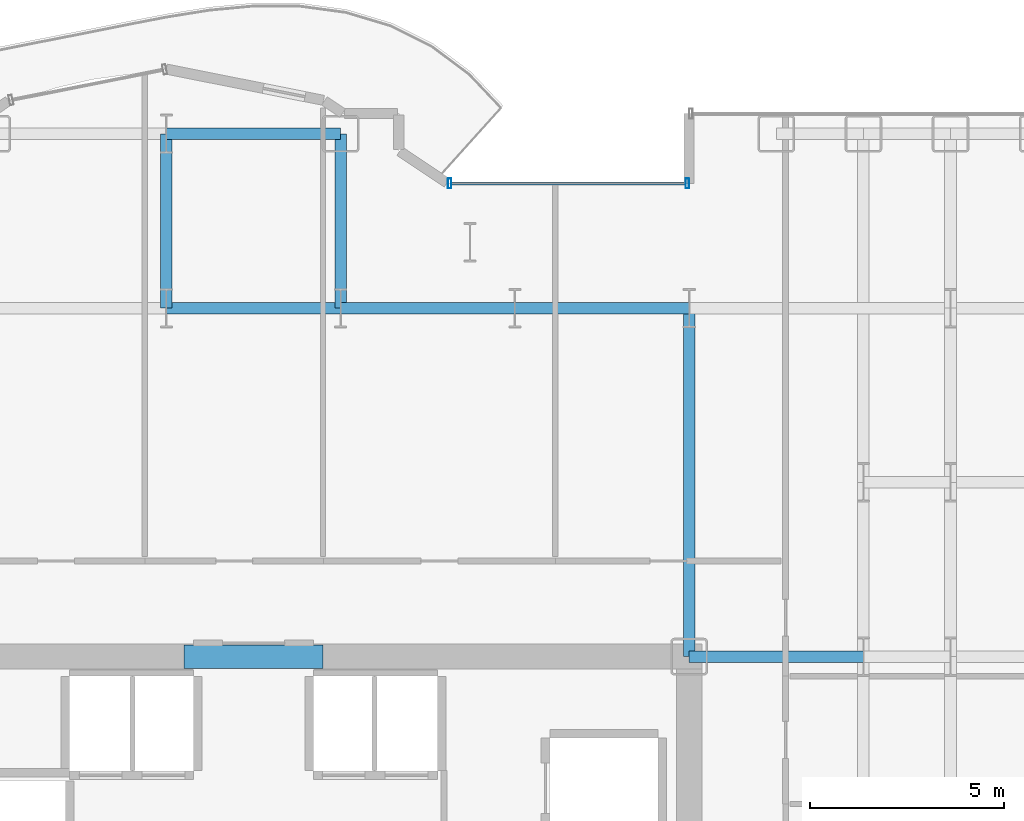
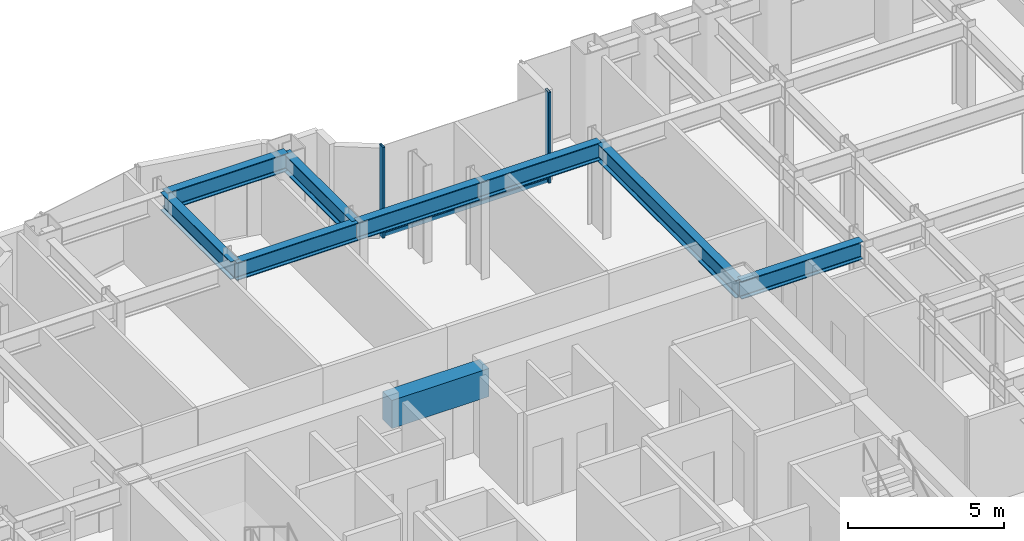
# One storey, part 14 of 29: 9 beams, 3 members, 1 element without a shape of its own.
"""IFC4 building model written with IfcOpenShell, lengths in metres."""

from ifc_helpers import new_model, si_unit, direction, frame, origin, origin_2d, place, context, subcontext, project, spatial, rectangle, hollow_rectangle, i_section, extrude, source, transform, mapped, material, layer, layer_set, material_profile, profile_set, type_object, element, aggregate, save


model = new_model("IFC4")

# Units and contexts
model_context = context("Model", 3, precision=1e-05, world=origin(), true_north=direction((0.0, 1.0)))
body_context = subcontext(model_context, "Body", "Model", "MODEL_VIEW")
ifc_project = project(units=[si_unit("LENGTHUNIT", "METRE"), si_unit("AREAUNIT", "SQUARE_METRE"), si_unit("VOLUMEUNIT", "CUBIC_METRE"), si_unit("PLANEANGLEUNIT", "RADIAN"), si_unit("MASSUNIT", "GRAM", prefix="KILO")], contexts=[model_context])

# Site, building, storey
site_placement = place(None, origin())
site = spatial("IfcSite", under=ifc_project, at=site_placement, CompositionType="ELEMENT")
building_placement = place(site_placement, origin())
building = spatial("IfcBuilding", under=site, at=building_placement, Name="Nefas-Gora Pilgrimage Tower", CompositionType="ELEMENT")
storey_placement = place(building_placement, frame((0.0, 0.0, 55.800048828125)))
storey = spatial("IfcBuildingStorey", under=building, at=storey_placement, Name="L12", CompositionType="ELEMENT", Elevation=55.800048828125)

# Beams
ifc_material_1 = material(Name="Concrete C60/75", Category="concrete")
ifc_material_profile_1 = material_profile(ifc_material_1, rectangle(XDim=0.60009765625, YDim=1.10009765625, at=origin_2d()), Name="RC 600x1100")
ifc_profile_set_1 = profile_set([ifc_material_profile_1], Name="Concrete C60/75")
beam_type_1 = type_object("IfcBeamType", Name="BM-LIN-RC1100", PredefinedType="LINTEL", material=ifc_profile_set_1)
shared_shape_1 = source(origin(), body_context, "Body", "SweptSolid", [
    extrude(rectangle(XDim=0.60009765625, YDim=1.10009765625, at=origin_2d()), origin(), (0.0, 0.0, 1.0), 3.60009765625),
])
beam_1_placement = place(storey_placement, frame((-1.800048828125, 9.0, 3.0), z_axis=(1.0, 0.0, 0.0), x_axis=(0.0, 1.0, 0.0)))
element("IfcBeam", 1, at=beam_1_placement, inside=storey, type_object=beam_type_1, Name="L12 Core Coupling Lintel Beam N", PredefinedType="LINTEL", context=body_context, shape_type="MappedRepresentation", body=[
    mapped(shared_shape_1, transform((0.0, 0.0, 0.0), x_axis=(1.0, 0.0, 0.0), y_axis=(0.0, 1.0, 0.0), z_axis=(0.0, 0.0, 1.0), scale=1.0)),
])
ifc_material_2 = material(Name="Steel S355", Category="steel")
ifc_material_profile_2 = material_profile(ifc_material_2, i_section(OverallWidth=0.300048828125, OverallDepth=0.699951171875, WebThickness=0.01708984375, FlangeThickness=0.031982421875, FilletRadius=0.027099609375, at=origin_2d()), Name="HEB 700")
ifc_profile_set_2 = profile_set([ifc_material_profile_2], Name="Steel S355")
beam_type_2 = type_object("IfcBeamType", Name="BM-GIR-HEB700", PredefinedType="BEAM", material=ifc_profile_set_2)
shared_shape_2 = source(origin(), body_context, "Body", "SweptSolid", [
    extrude(i_section(OverallWidth=0.300048828125, OverallDepth=0.699951171875, WebThickness=0.01708984375, FlangeThickness=0.031982421875, FilletRadius=0.027099609375, at=origin_2d()), origin(), (0.0, 0.0, 1.0), 9.0),
])
beam_2_placement = place(storey_placement, frame((11.25, 9.0, 3.199951171875), z_axis=(0.0, 1.0, 0.0), x_axis=(-1.0, 0.0, 0.0)))
element("IfcBeam", 2, at=beam_2_placement, inside=storey, type_object=beam_type_2, Name="L12 G-02 beam", PredefinedType="BEAM", context=body_context, shape_type="MappedRepresentation", body=[
    mapped(shared_shape_2, transform((0.0, 0.0, 0.0), x_axis=(1.0, 0.0, 0.0), y_axis=(0.0, 1.0, 0.0), z_axis=(0.0, 0.0, 1.0), scale=1.0)),
])
shared_shape_3 = source(origin(), body_context, "Body", "SweptSolid", [
    extrude(i_section(OverallWidth=0.300048828125, OverallDepth=0.699951171875, WebThickness=0.01708984375, FlangeThickness=0.031982421875, FilletRadius=0.027099609375, at=origin_2d()), origin(), (0.0, 0.0, 1.0), 4.5),
])
for number, where, z_axis, x_axis, name in (
    (3, (-2.25, 18.0, 3.199951171875), (0.0, 1.0, 0.0), (-1.0, 0.0, 0.0), "L12 G-02 beam"),
    (4, (-2.25, 18.0, 3.199951171875), (1.0, 0.0, 0.0), (0.0, 1.0, 0.0), "L12 G-02 beam"),
    (5, (-2.25, 22.5, 3.199951171875), (1.0, 0.0, 0.0), (0.0, 1.0, 0.0), "L12 G-02 beam"),
    (6, (2.25, 18.0, 3.199951171875), (0.0, 1.0, 0.0), (-1.0, 0.0, 0.0), "L12 G-02 beam"),
    (7, (2.25, 18.0, 3.199951171875), (1.0, 0.0, 0.0), (0.0, 1.0, 0.0), "L12 G-02 beam"),
    (8, (6.75, 18.0, 3.199951171875), (1.0, 0.0, 0.0), (0.0, 1.0, 0.0), "L12 G-02 beam"),
    (9, (11.25, 9.0, 3.199951171875), (1.0, 0.0, 0.0), (0.0, 1.0, 0.0), "L12 G-02 beam"),
):
    element("IfcBeam", number, at=place(storey_placement, frame(where, z_axis=z_axis, x_axis=x_axis)), inside=storey, type_object=beam_type_2, Name=name, PredefinedType="BEAM", context=body_context, shape_type="MappedRepresentation", body=[
        mapped(shared_shape_3, transform((0.0, 0.0, 0.0), x_axis=(1.0, 0.0, 0.0), y_axis=(0.0, 1.0, 0.0), z_axis=(0.0, 0.0, 1.0), scale=1.0)),
    ])

# Curtain wall, members
ifc_material_3 = material(Name="Dark ceramic-fritted solar-control aluminium-glass curtain wall", Category="aluminium")
ifc_layer = layer(ifc_material_3, 0.219970703125)
ifc_layer_set = layer_set([ifc_layer], Name="Dark ceramic-fritted solar-control aluminium-glass curtain wall")
curtain_wall_type = type_object("IfcCurtainWallType", Name="CW-SYS-5", PredefinedType="NOTDEFINED", material=ifc_layer_set)
curtain_wall_placement = place(storey_placement, origin())
curtain_wall = element("IfcCurtainWall", 10, at=curtain_wall_placement, inside=storey, type_object=curtain_wall_type, Name="L12 Unitised Curtain Wall CW5", PredefinedType="NOTDEFINED")
ifc_material_4 = material(Name="Anodised architectural aluminium", Category="aluminium")
ifc_material_profile_3 = material_profile(ifc_material_4, hollow_rectangle(XDim=0.090087890625, YDim=0.260009765625, WallThickness=0.006103515625, InnerFilletRadius=0.006103515625, OuterFilletRadius=0.011962890625, at=origin_2d()), Name="ALU MULLION 90x260")
ifc_profile_set_3 = profile_set([ifc_material_profile_3], Name="Anodised architectural aluminium")
member_type_1 = type_object("IfcMemberType", Name="CWM-MUL-5", PredefinedType="MULLION", material=ifc_profile_set_3)
shared_shape_4 = source(origin(), body_context, "Body", "SweptSolid", [
    extrude(hollow_rectangle(XDim=0.090087890625, YDim=0.260009765625, WallThickness=0.006103515625, InnerFilletRadius=0.006103515625, OuterFilletRadius=0.011962890625, at=origin_2d()), origin(), (0.0, 0.0, 1.0), 3.550048828125),
])
member_1_placement = place(storey_placement, frame((11.205078125, 21.219970703125, 0.0), z_axis=(0.0, 0.0, 1.0), x_axis=(-1.0, 0.0, 0.0)))
member_1 = element("IfcMember", 11, at=member_1_placement, type_object=member_type_1, Name="CW5 Mullion 1", PredefinedType="MULLION", context=body_context, shape_type="MappedRepresentation", body=[
    mapped(shared_shape_4, transform((0.0, 0.0, 0.0), x_axis=(1.0, 0.0, 0.0), y_axis=(0.0, 1.0, 0.0), z_axis=(0.0, 0.0, 1.0), scale=1.0)),
])
member_2_placement = place(storey_placement, frame((5.06298828125, 21.219970703125, 0.0), z_axis=(0.0, 0.0, 1.0), x_axis=(-1.0, 0.0, 0.0)))
member_2 = element("IfcMember", 12, at=member_2_placement, type_object=member_type_1, Name="CW5 Mullion 2", PredefinedType="MULLION", context=body_context, shape_type="MappedRepresentation", body=[
    mapped(shared_shape_4, transform((0.0, 0.0, 0.0), x_axis=(1.0, 0.0, 0.0), y_axis=(0.0, 1.0, 0.0), z_axis=(0.0, 0.0, 1.0), scale=1.0)),
])
ifc_material_profile_4 = material_profile(ifc_material_4, hollow_rectangle(XDim=0.080078125, YDim=0.159912109375, WallThickness=0.00439453125, InnerFilletRadius=0.00439453125, OuterFilletRadius=0.009033203125, at=origin_2d()), Name="ALU TRANSOM 80x160")
ifc_profile_set_4 = profile_set([ifc_material_profile_4], Name="Anodised architectural aluminium")
member_type_2 = type_object("IfcMemberType", Name="CWM-TRN-5", PredefinedType="USERDEFINED", material=ifc_profile_set_4)
shared_shape_5 = source(origin(), body_context, "Body", "SweptSolid", [
    extrude(hollow_rectangle(XDim=0.080078125, YDim=0.159912109375, WallThickness=0.00439453125, InnerFilletRadius=0.00439453125, OuterFilletRadius=0.009033203125, at=origin_2d()), origin(), (0.0, 0.0, 1.0), 6.052001953125),
])
member_3_placement = place(storey_placement, frame((11.159912109375, 21.219970703125, 0.050048828125), z_axis=(-1.0, 0.0, 0.0), x_axis=(0.0, -1.0, 0.0)))
member_3 = element("IfcMember", 13, at=member_3_placement, type_object=member_type_2, Name="CW5 Spandrel Transom", ObjectType="TRANSOM", PredefinedType="USERDEFINED", context=body_context, shape_type="MappedRepresentation", body=[
    mapped(shared_shape_5, transform((0.0, 0.0, 0.0), x_axis=(1.0, 0.0, 0.0), y_axis=(0.0, 1.0, 0.0), z_axis=(0.0, 0.0, 1.0), scale=1.0)),
])
aggregate(curtain_wall, [member_1, member_2, member_3])

save(model, "model.ifc")
